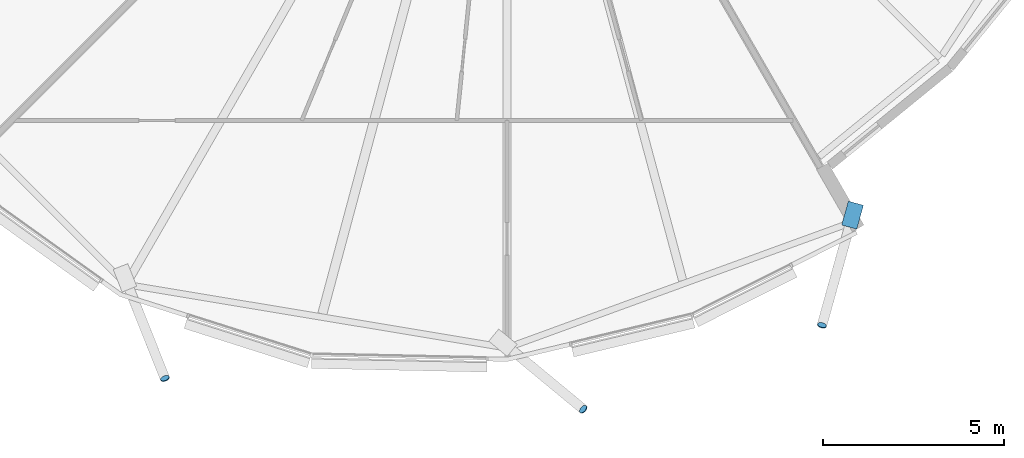
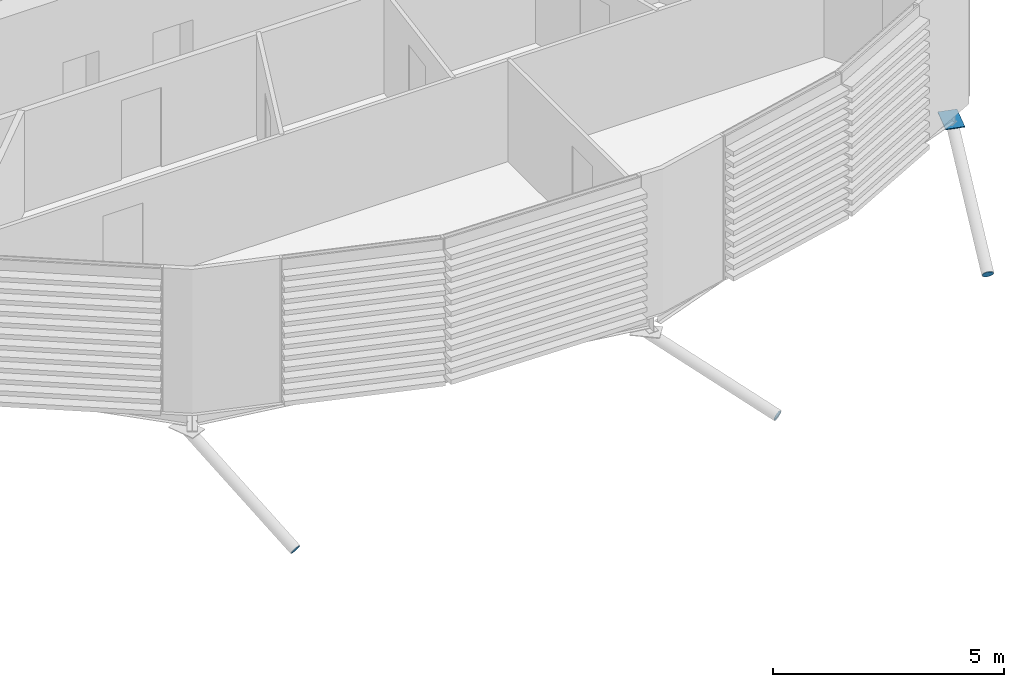
# One storey, part 28 of 36: 4 discrete accessories.
"""IFC4 building model written with IfcOpenShell, lengths in metres."""

from ifc_helpers import new_model, si_unit, direction, frame, origin, origin_2d, place, context, subcontext, project, spatial, polyline, rectangle, circle, outline, extrude, material, material_profile, profile_set, type_object, element, save


model = new_model("IFC4")

# Units and contexts
model_context = context("Model", 3, precision=1e-05, world=origin(), true_north=direction((0.0, 1.0)))
body_context = subcontext(model_context, "Body", "Model", "MODEL_VIEW")
ifc_project = project(units=[si_unit("LENGTHUNIT", "METRE"), si_unit("AREAUNIT", "SQUARE_METRE"), si_unit("VOLUMEUNIT", "CUBIC_METRE"), si_unit("PLANEANGLEUNIT", "RADIAN"), si_unit("MASSUNIT", "GRAM", prefix="KILO")], contexts=[model_context])

# Site, building, storey
site_placement = place(None, origin())
site = spatial("IfcSite", under=ifc_project, at=site_placement, CompositionType="ELEMENT")
building_placement = place(site_placement, origin())
building = spatial("IfcBuilding", under=site, at=building_placement, Name="Rimbun Link Towers", CompositionType="ELEMENT")
storey_placement = place(building_placement, frame((0.0, 0.0, 200.699951171875)))
storey = spatial("IfcBuildingStorey", under=building, at=storey_placement, Name="L49", CompositionType="ELEMENT", Elevation=200.699951171875)

# Discrete accessories
ifc_material_1 = material(Name="Steel S355J2H", Category="steel")
ifc_material_profile_1 = material_profile(ifc_material_1, circle(Radius=0.1240234375, at=origin_2d()), Name="PL D248")
ifc_profile_set_1 = profile_set([ifc_material_profile_1], Name="Steel S355J2H")
discrete_accessory_type_1 = type_object("IfcDiscreteAccessoryType", Name="Link foot sealing plate D248X20", PredefinedType="BRACKET", material=ifc_profile_set_1)
discrete_accessory_1_placement = place(storey_placement, frame((22.297119140625, -20.814208984375, -2.65380859375), z_axis=(0.314442005857, -0.786105014643, -0.532132625297), x_axis=(0.928476690885, 0.371390676354, 0.0)))
element("IfcDiscreteAccessory", 1, at=discrete_accessory_1_placement, inside=storey, type_object=discrete_accessory_type_1, Name="Link foot sealing plate T2 L49 13", PredefinedType="BRACKET", context=body_context, shape_type="SweptSolid", body=[
    extrude(circle(Radius=0.1240234375, at=origin_2d()), origin(), (0.0, 0.0, 1.0), 0.020263671875),
])
for number, where, z_axis, x_axis, name in (
    (2, (33.852294921875, -21.667236328125, -2.646240234375), (0.632642732136, -0.535313081038, -0.559645493813), (0.645942241466, 0.763386285369, 0.0), "Link foot sealing plate T2 L49 15"),
    (3, (40.45361328125, -19.3466796875, -2.6240234375), (-0.219708334129, -0.830009262266, -0.512652779635), (0.966705227862, -0.255892560316, 0.0), "Link foot sealing plate T2 L49 17"),
):
    element("IfcDiscreteAccessory", number, at=place(storey_placement, frame(where, z_axis=z_axis, x_axis=x_axis)), inside=storey, type_object=discrete_accessory_type_1, Name=name, PredefinedType="BRACKET", context=body_context, shape_type="SweptSolid", body=[
        extrude(circle(Radius=0.1240234375, at=origin_2d()), origin(), (0.0, 0.0, 1.0), 0.02001953125),
    ])
ifc_material_2 = material(Name="Steel S355J2H", Category="steel")
ifc_material_profile_2 = material_profile(ifc_material_2, rectangle(XDim=0.43310546875, YDim=0.43310546875, at=origin_2d()), Name="PL 433x433")
ifc_profile_set_2 = profile_set([ifc_material_profile_2], Name="Steel S355J2H")
discrete_accessory_type_2 = type_object("IfcDiscreteAccessoryType", Name="Link head end plate 433X20", PredefinedType="BRACKET", material=ifc_profile_set_2)
discrete_accessory_2_placement = place(storey_placement, frame((0.0, 0.0, -0.703125)))
element("IfcDiscreteAccessory", 4, at=discrete_accessory_2_placement, inside=storey, type_object=discrete_accessory_type_2, Name="Link head end plate T2 L49 17", PredefinedType="BRACKET", context=body_context, shape_type="SweptSolid", body=[
    extrude(outline(polyline([(41.1806640625, -15.922607421875), (40.997314453125, -16.582275390625), (41.41455078125, -16.6982421875), (41.597900390625, -16.038818359375), (41.1806640625, -15.922607421875)])), origin(), (0.0, 0.0, 1.0), 0.02001953125),
])

save(model, "model.ifc")
